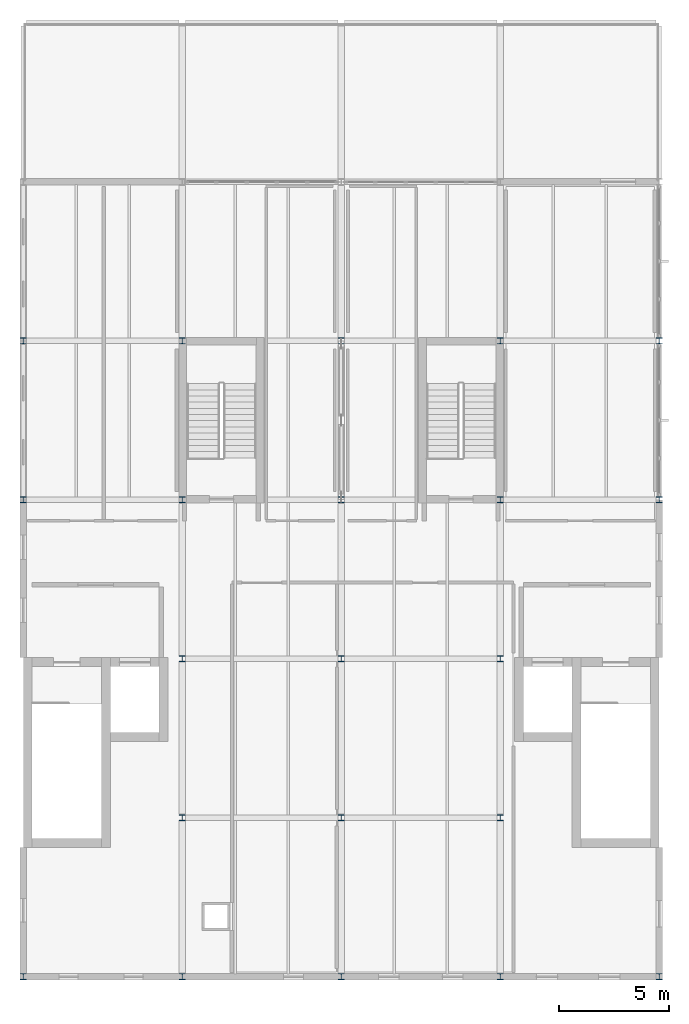
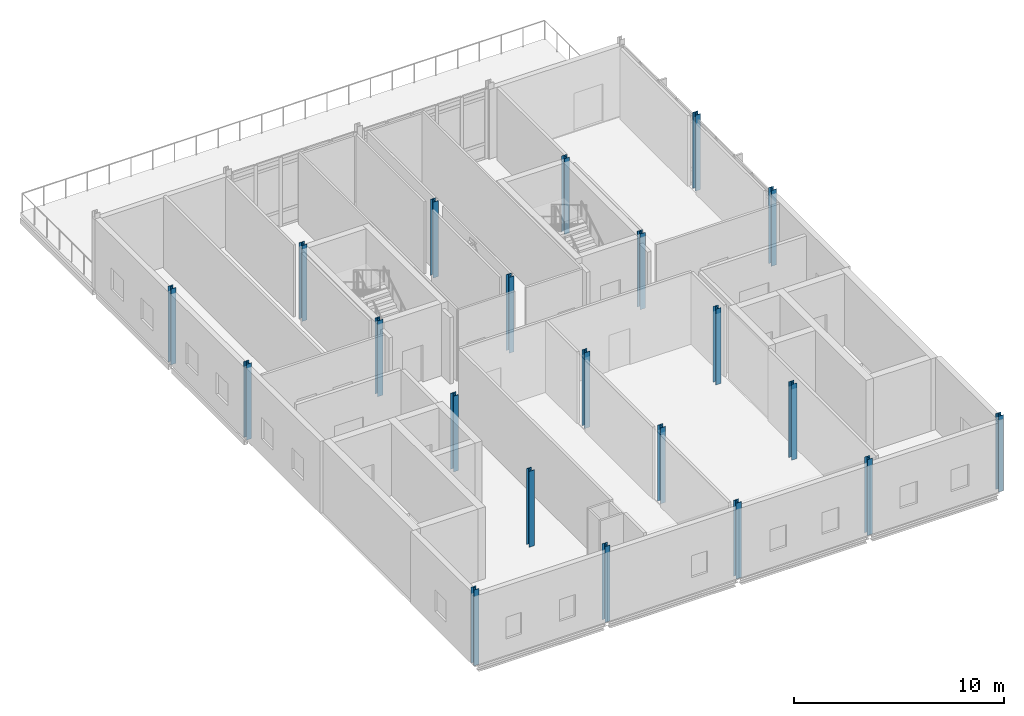
# One storey, part 1 of 12: 21 columns.
"""IFC4 building model written with IfcOpenShell, lengths in metres."""

from ifc_helpers import new_model, si_unit, direction, frame, origin, origin_2d, place, context, subcontext, project, spatial, i_section, extrude, material, material_profile, profile_set, type_object, element, save


model = new_model("IFC4")

# Units and contexts
model_context = context("Model", 3, precision=1e-05, world=origin(), true_north=direction((0.0, 1.0)))
body_context = subcontext(model_context, "Body", "Model", "MODEL_VIEW")
ifc_project = project(units=[si_unit("LENGTHUNIT", "METRE"), si_unit("AREAUNIT", "SQUARE_METRE"), si_unit("VOLUMEUNIT", "CUBIC_METRE"), si_unit("PLANEANGLEUNIT", "RADIAN"), si_unit("MASSUNIT", "GRAM", prefix="KILO")], contexts=[model_context])

# Site, building, storey
site_placement = place(None, origin())
site = spatial("IfcSite", under=ifc_project, at=site_placement, CompositionType="ELEMENT")
building_placement = place(site_placement, origin())
building = spatial("IfcBuilding", under=site, at=building_placement, Name="Zarrinpeak Specialist Clinic", CompositionType="ELEMENT")
storey_placement = place(building_placement, frame((0.0, 0.0, 27.199951171875)))
storey = spatial("IfcBuildingStorey", under=building, at=storey_placement, Name="L06", CompositionType="ELEMENT", Elevation=27.199951171875)

# Columns
ifc_material = material(Name="Steel S355", Category="steel")
ifc_material_profile = material_profile(ifc_material, i_section(OverallWidth=0.280029296875, OverallDepth=0.280029296875, WebThickness=0.010498046875, FlangeThickness=0.01806640625, FilletRadius=0.02392578125, at=origin_2d()), Name="HEB 280")
ifc_profile_set = profile_set([ifc_material_profile], Name="Steel S355")
column_type = type_object("IfcColumnType", Name="COL-HEB280", PredefinedType="COLUMN", material=ifc_profile_set)
for number, where, z_axis, x_axis, name in (
    (1, (0.0, 0.0, 0.0), (0.0, 0.0, 1.0), (1.0, 0.0, 0.0), "L06 Structural Column COL-L06-001"),
    (2, (0.0, 21.60009765625, 0.0), (0.0, 0.0, 1.0), (1.0, 0.0, 0.0), "L06 Structural Column COL-L06-002"),
    (3, (0.0, 28.800048828125, 0.0), (0.0, 0.0, 1.0), (1.0, 0.0, 0.0), "L06 Structural Column COL-L06-003"),
    (4, (7.199951171875, 0.0, 0.0), (0.0, 0.0, 1.0), (1.0, 0.0, 0.0), "L06 Structural Column COL-L06-005"),
    (5, (7.199951171875, 7.199951171875, 0.0), (0.0, 0.0, 1.0), (1.0, 0.0, 0.0), "L06 Structural Column COL-L06-006"),
    (6, (7.199951171875, 14.39990234375, 0.0), (0.0, 0.0, 1.0), (1.0, 0.0, 0.0), "L06 Structural Column COL-L06-007"),
    (7, (7.199951171875, 21.60009765625, 0.0), (0.0, 0.0, 1.0), (1.0, 0.0, 0.0), "L06 Structural Column COL-L06-008"),
    (8, (7.199951171875, 28.800048828125, 0.0), (0.0, 0.0, 1.0), (1.0, 0.0, 0.0), "L06 Structural Column COL-L06-009"),
    (9, (14.39990234375, 0.0, 0.0), (0.0, 0.0, 1.0), (1.0, 0.0, 0.0), "L06 Structural Column COL-L06-011"),
    (10, (14.39990234375, 7.199951171875, 0.0), (0.0, 0.0, 1.0), (1.0, 0.0, 0.0), "L06 Structural Column COL-L06-012"),
    (11, (14.39990234375, 14.39990234375, 0.0), (0.0, 0.0, 1.0), (1.0, 0.0, 0.0), "L06 Structural Column COL-L06-013"),
    (12, (14.39990234375, 21.60009765625, 0.0), (0.0, 0.0, 1.0), (1.0, 0.0, 0.0), "L06 Structural Column COL-L06-014"),
    (13, (14.39990234375, 28.800048828125, 0.0), (0.0, 0.0, 1.0), (1.0, 0.0, 0.0), "L06 Structural Column COL-L06-015"),
    (14, (21.60009765625, 0.0, 0.0), (0.0, 0.0, 1.0), (1.0, 0.0, 0.0), "L06 Structural Column COL-L06-017"),
    (15, (21.60009765625, 7.199951171875, 0.0), (0.0, 0.0, 1.0), (1.0, 0.0, 0.0), "L06 Structural Column COL-L06-018"),
    (16, (21.60009765625, 14.39990234375, 0.0), (0.0, 0.0, 1.0), (1.0, 0.0, 0.0), "L06 Structural Column COL-L06-019"),
    (17, (21.60009765625, 21.60009765625, 0.0), (0.0, 0.0, 1.0), (1.0, 0.0, 0.0), "L06 Structural Column COL-L06-020"),
    (18, (21.60009765625, 28.800048828125, 0.0), (0.0, 0.0, 1.0), (1.0, 0.0, 0.0), "L06 Structural Column COL-L06-021"),
    (19, (28.800048828125, 0.0, 0.0), (0.0, 0.0, 1.0), (1.0, 0.0, 0.0), "L06 Structural Column COL-L06-023"),
    (20, (28.800048828125, 21.60009765625, 0.0), (0.0, 0.0, 1.0), (1.0, 0.0, 0.0), "L06 Structural Column COL-L06-024"),
    (21, (28.800048828125, 28.800048828125, 0.0), (0.0, 0.0, 1.0), (1.0, 0.0, 0.0), "L06 Structural Column COL-L06-025"),
):
    element("IfcColumn", number, at=place(storey_placement, frame(where, z_axis=z_axis, x_axis=x_axis)), inside=storey, type_object=column_type, Name=name, PredefinedType="COLUMN", context=body_context, shape_type="SweptSolid", body=[
        extrude(i_section(OverallWidth=0.280029296875, OverallDepth=0.280029296875, WebThickness=0.010498046875, FlangeThickness=0.01806640625, FilletRadius=0.02392578125, at=origin_2d()), origin(), (0.0, 0.0, 1.0), 4.400146484375),
    ])

save(model, "model.ifc")
